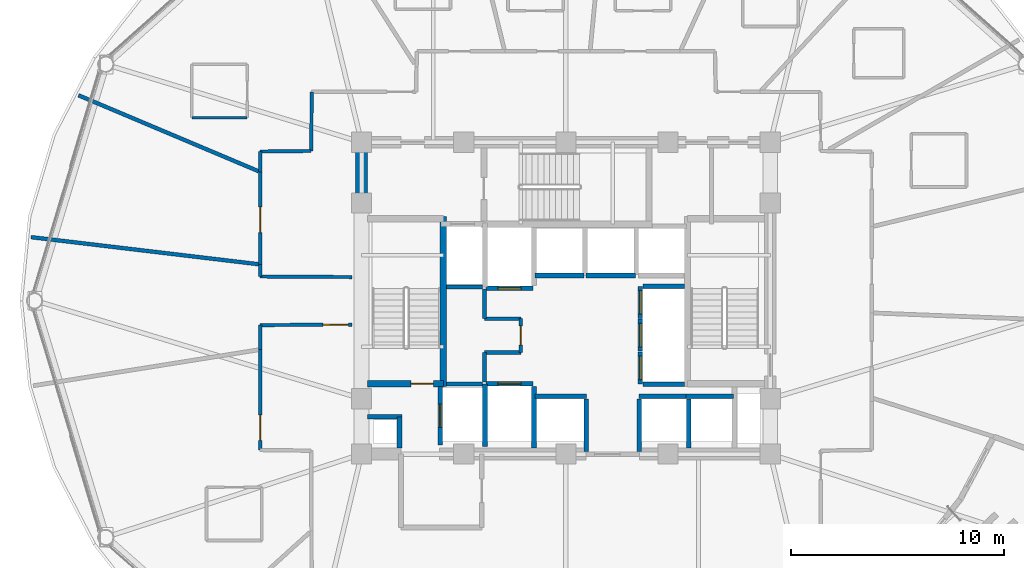
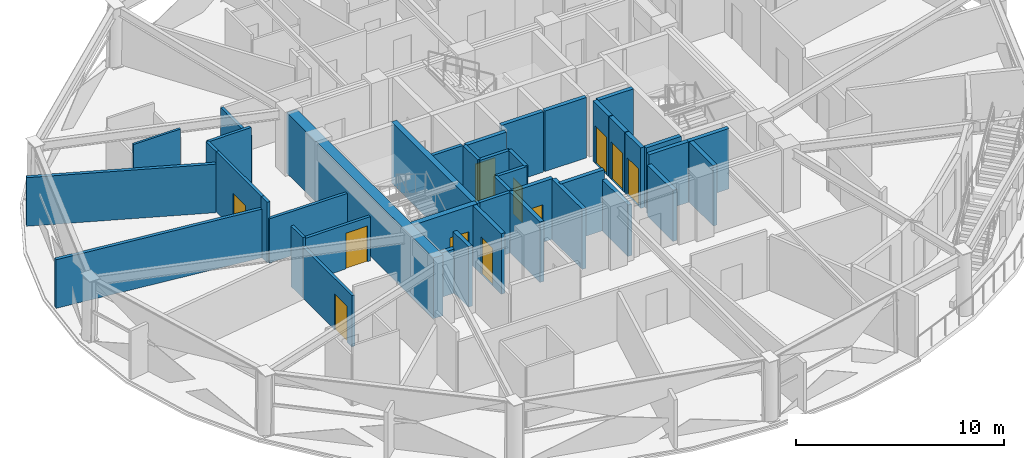
# One storey, part 11 of 18: 42 walls, 11 doors, 11 openings.
"""IFC4 building model written with IfcOpenShell, lengths in metres."""

from ifc_helpers import new_model, si_unit, direction, frame, frame_2d, origin, place, context, subcontext, project, spatial, rectangle, extrude, material, layer, layer_set, type_object, element, fill, save


model = new_model("IFC4")

# Units and contexts
model_context = context("Model", 3, precision=1e-05, world=origin(), true_north=direction((0.0, 1.0)))
body_context = subcontext(model_context, "Body", "Model", "MODEL_VIEW")
ifc_project = project(units=[si_unit("LENGTHUNIT", "METRE"), si_unit("AREAUNIT", "SQUARE_METRE"), si_unit("VOLUMEUNIT", "CUBIC_METRE"), si_unit("PLANEANGLEUNIT", "RADIAN"), si_unit("MASSUNIT", "GRAM", prefix="KILO")], contexts=[model_context])

# Site, building, storey
site_placement = place(None, origin())
site = spatial("IfcSite", under=ifc_project, at=site_placement, CompositionType="ELEMENT")
building_placement = place(site_placement, origin())
building = spatial("IfcBuilding", under=site, at=building_placement, Name="Vantalir Tower", CompositionType="ELEMENT")
storey_placement = place(building_placement, frame((0.0, 0.0, 138.449951171875)))
storey = spatial("IfcBuildingStorey", under=building, at=storey_placement, Name="L34", CompositionType="ELEMENT", Elevation=138.449951171875)

# Walls
ifc_material_1 = material(Name="Moisture-resistant en-suite partition", Category="gypsum")
ifc_layer_1 = layer(ifc_material_1, 0.125)
ifc_layer_set_1 = layer_set([ifc_layer_1], Name="Moisture-resistant en-suite partition")
wall_type_1 = type_object("IfcWallType", Name="WL-BATH-125", PredefinedType="PARTITIONING", material=ifc_layer_set_1)
wall_1_placement = place(storey_placement, frame((13.924072265625, 33.60595703125, 0.0), z_axis=(0.0, 0.0, 1.0), x_axis=(1.0, 0.0, 0.0)))
element("IfcWall", 1, at=wall_1_placement, inside=storey, type_object=wall_type_1, Name="L34 En-suite 07 South Wall", PredefinedType="PARTITIONING", context=body_context, shape_type="SweptSolid", body=[
    extrude(rectangle(XDim=2.599853515625, YDim=0.125, at=frame_2d((1.2998046875, 0.0))), origin(), (0.0, 0.0, 1.0), 3.550048828125),
])
ifc_material_2 = material(Name="Concrete C60/75", Category="concrete")
ifc_layer_2 = layer(ifc_material_2, 0.550048828125)
ifc_layer_set_2 = layer_set([ifc_layer_2], Name="Concrete C60/75")
wall_type_2 = type_object("IfcWallType", Name="WL-CORE-550", PredefinedType="SHEAR", material=ifc_layer_set_2)
wall_2_placement = place(storey_placement, frame((21.89990234375, 18.074951171875, 0.0), z_axis=(0.0, 0.0, 1.0), x_axis=(0.0, 1.0, 0.0)))
element("IfcWall", 2, at=wall_2_placement, inside=storey, type_object=wall_type_2, Name="L34 Core Shear Wall West", PredefinedType="SHEAR", context=body_context, shape_type="SweptSolid", body=[
    extrude(rectangle(XDim=14.10009765625, YDim=0.550048828125, at=frame_2d((7.050048828125, 0.0))), origin(), (0.0, 0.0, 1.0), 3.570068359375),
])
ifc_material_3 = material(Name="Fire-rated hotel corridor acoustic partition", Category="gypsum")
ifc_layer_3 = layer(ifc_material_3, 0.159912109375)
ifc_layer_set_3 = layer_set([ifc_layer_3], Name="Fire-rated hotel corridor acoustic partition")
wall_type_3 = type_object("IfcWallType", Name="WL-CORR-160", PredefinedType="PARTITIONING", material=ifc_layer_set_3)
wall_3_placement = place(storey_placement, frame((21.445068359375, 26.115966796875, 0.0), z_axis=(0.0, 0.0, 1.0), x_axis=(-0.999981624627, 0.006062211549, 0.0)))
element("IfcWall", 3, at=wall_3_placement, inside=storey, type_object=wall_type_3, Name="L34 Corridor Partition 01", PredefinedType="PARTITIONING", context=body_context, shape_type="SweptSolid", body=[
    extrude(rectangle(XDim=4.30908203125, YDim=0.159912109375, at=frame_2d((2.154541015625, 0.0))), origin(), (0.0, 0.0, 1.0), 2.594970703125),
])
wall_4_placement = place(storey_placement, frame((17.135986328125, 26.14208984375, 0.0), z_axis=(0.0, 0.0, 1.0), x_axis=(0.0, 1.0, 0.0)))
element("IfcWall", 4, at=wall_4_placement, inside=storey, type_object=wall_type_3, Name="L34 Corridor Partition 02", PredefinedType="PARTITIONING", context=body_context, shape_type="SweptSolid", body=[
    extrude(rectangle(XDim=0.56787109375, YDim=0.159912109375, at=frame_2d((0.283935546875, 0.0))), origin(), (0.0, 0.0, 1.0), 3.550048828125),
])

# Wall, opening, door
wall_5_placement = place(storey_placement, frame((17.135986328125, 26.7099609375, 0.0), z_axis=(0.0, 0.0, 1.0), x_axis=(0.000224706471, 0.999999974754, 0.0)))
wall_5 = element("IfcWall", 5, at=wall_5_placement, inside=storey, type_object=wall_type_3, Name="L34 Corridor Partition 03", PredefinedType="PARTITIONING", context=body_context, shape_type="SweptSolid", body=[
    extrude(rectangle(XDim=4.345947265625, YDim=0.159912109375, at=frame_2d((2.1728515625, 0.0))), origin(), (0.0, 0.0, 1.0), 3.550048828125),
])
opening_1_placement = place(wall_5_placement, frame((1.4990234375, 0.0, 0.0)))
opening_1 = element("IfcOpeningElement", 6, at=opening_1_placement, cuts=wall_5, Name="Opening D-STE", PredefinedType="OPENING", context=body_context, shape_type="SweptSolid", body=[
    extrude(rectangle(XDim=1.199951171875, YDim=2.10009765625, at=frame_2d((0.60009765625, 1.050048828125))), frame((0.0, 0.08984375, 0.0), z_axis=(0.0, -1.0, 0.0), x_axis=(1.0, 0.0, 0.0)), (0.0, 0.0, 1.0), 0.179931640625),
])
ifc_material_4 = material(Name="Solid-core teak veneer suite entrance door", Category="wood")
door_type_1 = type_object("IfcDoorType", Name="DR-SUITE-ENTRY-1200", OperationType="NOTDEFINED", PredefinedType="DOOR", material=ifc_material_4)
door_1_placement = place(opening_1_placement, origin())
door_1 = element("IfcDoor", 7, at=door_1_placement, inside=storey, type_object=door_type_1, Name="L34 Club Reading Lounge 08 Door", OperationType="SINGLE_SWING_LEFT", OverallHeight=2.10009765625, OverallWidth=1.199951171875, PredefinedType="DOOR", context=body_context, shape_type="SweptSolid", body=[
    extrude(rectangle(XDim=1.199951171875, YDim=2.10009765625, at=frame_2d((0.60009765625, 1.050048828125))), frame((0.0, 0.02490234375, 0.0), z_axis=(0.0, -1.0, 0.0), x_axis=(1.0, 0.0, 0.0)), (0.0, 0.0, 1.0), 0.050048828125),
])
fill(opening_1, door_1)

# Walls
wall_6_placement = place(storey_placement, frame((17.136962890625, 31.055908203125, 0.0), z_axis=(0.0, 0.0, 1.0), x_axis=(0.0, 1.0, 0.0)))
element("IfcWall", 8, at=wall_6_placement, inside=storey, type_object=wall_type_3, Name="L34 Corridor Partition 04", PredefinedType="PARTITIONING", context=body_context, shape_type="SweptSolid", body=[
    extrude(rectangle(XDim=0.9560546875, YDim=0.159912109375, at=frame_2d((0.47802734375, 0.0))), origin(), (0.0, 0.0, 1.0), 3.550048828125),
])
wall_7_placement = place(storey_placement, frame((17.136962890625, 32.011962890625, 0.0), z_axis=(0.0, 0.0, 1.0), x_axis=(0.999931463618, 0.01170760724, 0.0)))
element("IfcWall", 9, at=wall_7_placement, inside=storey, type_object=wall_type_3, Name="L34 Corridor Partition 05", PredefinedType="PARTITIONING", context=body_context, shape_type="SweptSolid", body=[
    extrude(rectangle(XDim=2.398193359375, YDim=0.159912109375, at=frame_2d((1.19921875, 0.0))), origin(), (0.0, 0.0, 1.0), 3.550048828125),
])
wall_8_placement = place(storey_placement, frame((19.534912109375, 32.0400390625, 0.0), z_axis=(0.0, 0.0, 1.0), x_axis=(0.009071319538, 0.999958854734, 0.0)))
element("IfcWall", 10, at=wall_8_placement, inside=storey, type_object=wall_type_3, Name="L34 Corridor Partition 06", PredefinedType="PARTITIONING", context=body_context, shape_type="SweptSolid", body=[
    extrude(rectangle(XDim=2.77197265625, YDim=0.159912109375, at=frame_2d((1.385986328125, 0.0))), origin(), (0.0, 0.0, 1.0), 3.006103515625),
])

# Wall, opening, door
wall_9_placement = place(storey_placement, frame((17.135986328125, 17.991943359375, 0.0), z_axis=(0.0, 0.0, 1.0), x_axis=(0.0, 1.0, 0.0)))
wall_9 = element("IfcWall", 11, at=wall_9_placement, inside=storey, type_object=wall_type_3, Name="L34 Corridor Partition 33", PredefinedType="PARTITIONING", context=body_context, shape_type="SweptSolid", body=[
    extrude(rectangle(XDim=4.718017578125, YDim=0.159912109375, at=frame_2d((2.35888671875, 0.0))), origin(), (0.0, 0.0, 1.0), 3.006103515625),
])
opening_2_placement = place(wall_9_placement, frame((0.450927734375, 0.0, 0.0)))
opening_2 = element("IfcOpeningElement", 12, at=opening_2_placement, cuts=wall_9, Name="Opening D-STE", PredefinedType="OPENING", context=body_context, shape_type="SweptSolid", body=[
    extrude(rectangle(XDim=1.199951171875, YDim=2.10009765625, at=frame_2d((0.60009765625, 1.050048828125))), frame((0.0, 0.08984375, 0.0), z_axis=(0.0, -1.0, 0.0), x_axis=(1.0, 0.0, 0.0)), (0.0, 0.0, 1.0), 0.179931640625),
])
door_2_placement = place(opening_2_placement, origin())
door_2 = element("IfcDoor", 13, at=door_2_placement, inside=storey, type_object=door_type_1, Name="L34 Executive Club Hotel Suite 10 Door", OperationType="SINGLE_SWING_LEFT", OverallHeight=2.10009765625, OverallWidth=1.199951171875, PredefinedType="DOOR", context=body_context, shape_type="SweptSolid", body=[
    extrude(rectangle(XDim=1.199951171875, YDim=2.10009765625, at=frame_2d((0.60009765625, 1.050048828125))), frame((0.0, 0.02490234375, 0.0), z_axis=(0.0, -1.0, 0.0), x_axis=(1.0, 0.0, 0.0)), (0.0, 0.0, 1.0), 0.050048828125),
])
fill(opening_2, door_2)

# Wall
wall_10_placement = place(storey_placement, frame((17.135986328125, 22.7099609375, 0.0), z_axis=(0.0, 0.0, 1.0), x_axis=(0.0, 1.0, 0.0)))
element("IfcWall", 14, at=wall_10_placement, inside=storey, type_object=wall_type_3, Name="L34 Corridor Partition 34", PredefinedType="PARTITIONING", context=body_context, shape_type="SweptSolid", body=[
    extrude(rectangle(XDim=1.14794921875, YDim=0.159912109375, at=frame_2d((0.573974609375, 0.0))), origin(), (0.0, 0.0, 1.0), 3.550048828125),
])

# Wall, opening, door
wall_11_placement = place(storey_placement, frame((17.135986328125, 23.85791015625, 0.0), z_axis=(0.0, 0.0, 1.0), x_axis=(0.999981624627, 0.006062211549, 0.0)))
wall_11 = element("IfcWall", 15, at=wall_11_placement, inside=storey, type_object=wall_type_3, Name="L34 Corridor Partition 35", PredefinedType="PARTITIONING", context=body_context, shape_type="SweptSolid", body=[
    extrude(rectangle(XDim=4.30908203125, YDim=0.159912109375, at=frame_2d((2.154541015625, 0.0))), origin(), (0.0, 0.0, 1.0), 2.594970703125),
])
opening_3_placement = place(wall_11_placement, frame((2.948974609375, 0.0, 0.0)))
opening_3 = element("IfcOpeningElement", 16, at=opening_3_placement, cuts=wall_11, Name="Opening D-STE", PredefinedType="OPENING", context=body_context, shape_type="SweptSolid", body=[
    extrude(rectangle(XDim=1.199951171875, YDim=2.10009765625, at=frame_2d((0.60009765625, 1.050048828125))), frame((0.0, 0.08984375, 0.0), z_axis=(0.0, -1.0, 0.0), x_axis=(1.0, 0.0, 0.0)), (0.0, 0.0, 1.0), 0.179931640625),
])
door_3_placement = place(opening_3_placement, origin())
door_3 = element("IfcDoor", 17, at=door_3_placement, inside=storey, type_object=door_type_1, Name="L34 Executive Sky Boardroom 09 Door", OperationType="SINGLE_SWING_RIGHT", OverallHeight=2.10009765625, OverallWidth=1.199951171875, PredefinedType="DOOR", context=body_context, shape_type="SweptSolid", body=[
    extrude(rectangle(XDim=1.199951171875, YDim=2.10009765625, at=frame_2d((0.60009765625, 1.050048828125))), frame((0.0, 0.02490234375, 0.0), z_axis=(0.0, -1.0, 0.0), x_axis=(1.0, 0.0, 0.0)), (0.0, 0.0, 1.0), 0.050048828125),
])
fill(opening_3, door_3)

# Walls
ifc_material_5 = material(Name="Concrete blockwork with fireboard lining", Category="masonry")
ifc_layer_4 = layer(ifc_material_5, 0.219970703125)
ifc_layer_set_4 = layer_set([ifc_layer_4], Name="Concrete blockwork with fireboard lining")
wall_type_4 = type_object("IfcWallType", Name="WL-FFL-220", PredefinedType="PARTITIONING", material=ifc_layer_set_4)
wall_12_placement = place(storey_placement, frame((30.0, 18.080078125, 0.0), z_axis=(0.0, 0.0, 1.0), x_axis=(0.0, 1.0, 0.0)))
element("IfcWall", 18, at=wall_12_placement, inside=storey, type_object=wall_type_4, Name="L34 Service Lift SV1 East Shaft Wall", PredefinedType="PARTITIONING", context=body_context, shape_type="SweptSolid", body=[
    extrude(rectangle(XDim=2.89990234375, YDim=0.219970703125, at=frame_2d((1.449951171875, 0.0))), origin(), (0.0, 0.0, 1.0), 3.545166015625),
])
for number, where, z_axis, x_axis, name in (
    (19, (32.449951171875, 17.919921875, 0.0), (0.0, 0.0, 1.0), (0.0, 1.0, 0.0), "L34 Shuttle Lift PL-X1 East Shaft Cheek"),
    (20, (34.949951171875, 17.919921875, 0.0), (0.0, 0.0, 1.0), (0.0, 1.0, 0.0), "L34 Shuttle Lift PL-X3 West Shaft Cheek"),
):
    element("IfcWall", number, at=place(storey_placement, frame(where, z_axis=z_axis, x_axis=x_axis)), inside=storey, type_object=wall_type_4, Name=name, PredefinedType="PARTITIONING", context=body_context, shape_type="SweptSolid", body=[
        extrude(rectangle(XDim=2.469970703125, YDim=0.219970703125, at=frame_2d((1.23486328125, 0.0))), origin(), (0.0, 0.0, 1.0), 3.006103515625),
    ])
wall_13_placement = place(storey_placement, frame((37.27490234375, 18.080078125, 0.0), z_axis=(0.0, 0.0, 1.0), x_axis=(0.0, 1.0, 0.0)))
element("IfcWall", 21, at=wall_13_placement, inside=storey, type_object=wall_type_4, Name="L34 Shuttle Lift PL-X2/X3 Shaft Divider", PredefinedType="PARTITIONING", context=body_context, shape_type="SweptSolid", body=[
    extrude(rectangle(XDim=2.309814453125, YDim=0.219970703125, at=frame_2d((1.15478515625, 0.0))), origin(), (0.0, 0.0, 1.0), 3.545166015625),
])
wall_14_placement = place(storey_placement, frame((23.679931640625, 18.074951171875, 0.0), z_axis=(0.0, 0.0, 1.0), x_axis=(0.0, 1.0, 0.0)))
element("IfcWall", 22, at=wall_14_placement, inside=storey, type_object=wall_type_4, Name="L34 West MEP Riser Wall E", PredefinedType="PARTITIONING", context=body_context, shape_type="SweptSolid", body=[
    extrude(rectangle(XDim=1.47509765625, YDim=0.219970703125, at=frame_2d((0.737548828125, 0.0))), origin(), (0.0, 0.0, 1.0), 3.550048828125),
])
wall_15_placement = place(storey_placement, frame((22.175048828125, 19.550048828125, 0.0), z_axis=(0.0, 0.0, 1.0), x_axis=(1.0, 0.0, 0.0)))
element("IfcWall", 23, at=wall_15_placement, inside=storey, type_object=wall_type_4, Name="L34 West MEP Riser Wall N", PredefinedType="PARTITIONING", context=body_context, shape_type="SweptSolid", body=[
    extrude(rectangle(XDim=1.614990234375, YDim=0.219970703125, at=frame_2d((0.8076171875, 0.0))), origin(), (0.0, 0.0, 1.0), 2.594970703125),
])

# Wall, opening, door
wall_16_placement = place(storey_placement, frame((25.590087890625, 18.219970703125, 0.0), z_axis=(0.0, 0.0, 1.0), x_axis=(0.0, 1.0, 0.0)))
wall_16 = element("IfcWall", 24, at=wall_16_placement, inside=storey, type_object=wall_type_4, Name="L34 Lift FL1 Shaft Front Wall", PredefinedType="PARTITIONING", context=body_context, shape_type="SweptSolid", body=[
    extrude(rectangle(XDim=2.760009765625, YDim=0.219970703125, at=frame_2d((1.3798828125, 0.0))), origin(), (0.0, 0.0, 1.0), 3.550048828125),
])
opening_4_placement = place(wall_16_placement, frame((0.830078125, 0.0, 0.0)))
opening_4 = element("IfcOpeningElement", 25, at=opening_4_placement, cuts=wall_16, Name="Opening LD-FL1", PredefinedType="OPENING", context=body_context, shape_type="SweptSolid", body=[
    extrude(rectangle(XDim=1.10009765625, YDim=2.199951171875, at=frame_2d((0.550048828125, 1.10009765625))), frame((0.0, 0.119873046875, 0.0), z_axis=(0.0, -1.0, 0.0), x_axis=(1.0, 0.0, 0.0)), (0.0, 0.0, 1.0), 0.239990234375),
])
ifc_material_6 = material(Name="Brushed stainless-steel sliding lift landing door", Category="steel")
door_type_2 = type_object("IfcDoorType", Name="DR-LIFT-LANDING-1100", OperationType="DOUBLE_DOOR_SLIDING", PredefinedType="DOOR", material=ifc_material_6)
door_4_placement = place(opening_4_placement, origin())
door_4 = element("IfcDoor", 26, at=door_4_placement, inside=storey, type_object=door_type_2, Name="L34 Lift Landing Door FL1", OperationType="DOUBLE_DOOR_SLIDING", OverallHeight=2.199951171875, OverallWidth=1.10009765625, PredefinedType="DOOR", context=body_context, shape_type="SweptSolid", body=[
    extrude(rectangle(XDim=1.10009765625, YDim=2.199951171875, at=frame_2d((0.550048828125, 1.10009765625))), frame((0.0, 0.02490234375, 0.0), z_axis=(0.0, -1.0, 0.0), x_axis=(1.0, 0.0, 0.0)), (0.0, 0.0, 1.0), 0.050048828125),
])
fill(opening_4, door_4)

wall_17_placement = place(storey_placement, frame((27.739990234375, 21.110107421875, 0.0), z_axis=(0.0, 0.0, 1.0), x_axis=(1.0, 0.0, 0.0)))
wall_17 = element("IfcWall", 27, at=wall_17_placement, inside=storey, type_object=wall_type_4, Name="L34 Lift SV1 Shaft Front Wall", PredefinedType="PARTITIONING", context=body_context, shape_type="SweptSolid", body=[
    extrude(rectangle(XDim=2.219970703125, YDim=0.219970703125, at=frame_2d((1.10986328125, 0.0))), origin(), (0.0, 0.0, 1.0), 3.550048828125),
])
opening_5_placement = place(wall_17_placement, frame((0.56005859375, 0.0, 0.0)))
opening_5 = element("IfcOpeningElement", 28, at=opening_5_placement, cuts=wall_17, Name="Opening LD-SV1", PredefinedType="OPENING", context=body_context, shape_type="SweptSolid", body=[
    extrude(rectangle(XDim=1.10009765625, YDim=2.199951171875, at=frame_2d((0.550048828125, 1.10009765625))), frame((0.0, 0.119873046875, 0.0), z_axis=(0.0, -1.0, 0.0), x_axis=(1.0, 0.0, 0.0)), (0.0, 0.0, 1.0), 0.239990234375),
])
door_5_placement = place(opening_5_placement, origin())
door_5 = element("IfcDoor", 29, at=door_5_placement, inside=storey, type_object=door_type_2, Name="L34 Lift Landing Door SV1", OperationType="DOUBLE_DOOR_SLIDING", OverallHeight=2.199951171875, OverallWidth=1.10009765625, PredefinedType="DOOR", context=body_context, shape_type="SweptSolid", body=[
    extrude(rectangle(XDim=1.10009765625, YDim=2.199951171875, at=frame_2d((0.550048828125, 1.10009765625))), frame((0.0, 0.02490234375, 0.0), z_axis=(0.0, -1.0, 0.0), x_axis=(1.0, 0.0, 0.0)), (0.0, 0.0, 1.0), 0.050048828125),
])
fill(opening_5, door_5)

wall_18_placement = place(storey_placement, frame((27.739990234375, 25.590087890625, 0.0), z_axis=(0.0, 0.0, 1.0), x_axis=(1.0, 0.0, 0.0)))
wall_18 = element("IfcWall", 30, at=wall_18_placement, inside=storey, type_object=wall_type_4, Name="L34 Lift SV2 Shaft Front Wall", PredefinedType="PARTITIONING", context=body_context, shape_type="SweptSolid", body=[
    extrude(rectangle(XDim=2.219970703125, YDim=0.219970703125, at=frame_2d((1.10986328125, 0.0))), origin(), (0.0, 0.0, 1.0), 3.550048828125),
])
opening_6_placement = place(wall_18_placement, frame((0.56005859375, 0.0, 0.0)))
opening_6 = element("IfcOpeningElement", 31, at=opening_6_placement, cuts=wall_18, Name="Opening LD-SV2", PredefinedType="OPENING", context=body_context, shape_type="SweptSolid", body=[
    extrude(rectangle(XDim=1.10009765625, YDim=2.199951171875, at=frame_2d((0.550048828125, 1.10009765625))), frame((0.0, 0.119873046875, 0.0), z_axis=(0.0, -1.0, 0.0), x_axis=(1.0, 0.0, 0.0)), (0.0, 0.0, 1.0), 0.239990234375),
])
door_6_placement = place(opening_6_placement, frame((1.10009765625, 0.0, 0.0), z_axis=(0.0, 0.0, 1.0), x_axis=(-1.0, 0.0, 0.0)))
door_6 = element("IfcDoor", 32, at=door_6_placement, inside=storey, type_object=door_type_2, Name="L34 Lift Landing Door SV2", OperationType="DOUBLE_DOOR_SLIDING", OverallHeight=2.199951171875, OverallWidth=1.10009765625, PredefinedType="DOOR", context=body_context, shape_type="SweptSolid", body=[
    extrude(rectangle(XDim=1.10009765625, YDim=2.199951171875, at=frame_2d((0.550048828125, 1.10009765625))), frame((0.0, 0.02490234375, 0.0), z_axis=(0.0, -1.0, 0.0), x_axis=(1.0, 0.0, 0.0)), (0.0, 0.0, 1.0), 0.050048828125),
])
fill(opening_6, door_6)

# Walls
wall_19_placement = place(storey_placement, frame((30.0400390625, 20.510009765625, 0.0), z_axis=(0.0, 0.0, 1.0), x_axis=(1.0, 0.0, 0.0)))
element("IfcWall", 33, at=wall_19_placement, inside=storey, type_object=wall_type_4, Name="L34 Lift PL-X1 Shaft Front Wall", PredefinedType="PARTITIONING", context=body_context, shape_type="SweptSolid", body=[
    extrude(rectangle(XDim=2.419921875, YDim=0.219970703125, at=frame_2d((1.2099609375, 0.0))), origin(), (0.0, 0.0, 1.0), 3.550048828125),
])
for number, where, z_axis, x_axis, name in (
    (34, (37.139892578125, 20.510009765625, 0.0), (0.0, 0.0, 1.0), (1.0, 0.0, 0.0), "L34 Lift PL-X2 Shaft Rear Wall"),
    (35, (34.93994140625, 20.510009765625, 0.0), (0.0, 0.0, 1.0), (1.0, 0.0, 0.0), "L34 Lift PL-X3 Shaft Front Wall"),
):
    element("IfcWall", number, at=place(storey_placement, frame(where, z_axis=z_axis, x_axis=x_axis)), inside=storey, type_object=wall_type_4, Name=name, PredefinedType="PARTITIONING", context=body_context, shape_type="SweptSolid", body=[
        extrude(rectangle(XDim=2.239990234375, YDim=0.219970703125, at=frame_2d((1.1201171875, 0.0))), origin(), (0.0, 0.0, 1.0), 3.550048828125),
    ])
for number, where, z_axis, x_axis, name in (
    (36, (30.0400390625, 26.18994140625, 0.0), (0.0, 0.0, 1.0), (1.0, 0.0, 0.0), "L34 Lift PL-H1 Shaft Front Wall"),
    (37, (32.43994140625, 26.18994140625, 0.0), (0.0, 0.0, 1.0), (1.0, 0.0, 0.0), "L34 Lift PL-H2 Shaft Front Wall"),
):
    element("IfcWall", number, at=place(storey_placement, frame(where, z_axis=z_axis, x_axis=x_axis)), inside=storey, type_object=wall_type_4, Name=name, PredefinedType="PARTITIONING", context=body_context, shape_type="SweptSolid", body=[
        extrude(rectangle(XDim=2.320068359375, YDim=0.219970703125, at=frame_2d((1.16015625, 0.0))), origin(), (0.0, 0.0, 1.0), 3.550048828125),
    ])

# Wall, opening, door
wall_20_placement = place(storey_placement, frame((34.989990234375, 21.10009765625, 0.0), z_axis=(0.0, 0.0, 1.0), x_axis=(0.0, 1.0, 0.0)))
wall_20 = element("IfcWall", 38, at=wall_20_placement, inside=storey, type_object=wall_type_4, Name="L34 Lift PL-M1 Shaft Front Wall", PredefinedType="PARTITIONING", context=body_context, shape_type="SweptSolid", body=[
    extrude(rectangle(XDim=1.5, YDim=0.219970703125, at=frame_2d((0.75, 0.0))), origin(), (0.0, 0.0, 1.0), 3.550048828125),
])
opening_7_placement = place(wall_20_placement, frame((0.199951171875, 0.0, 0.0)))
opening_7 = element("IfcOpeningElement", 39, at=opening_7_placement, cuts=wall_20, Name="Opening LD-PL-M1", PredefinedType="OPENING", context=body_context, shape_type="SweptSolid", body=[
    extrude(rectangle(XDim=1.10009765625, YDim=2.199951171875, at=frame_2d((0.550048828125, 1.10009765625))), frame((0.0, 0.119873046875, 0.0), z_axis=(0.0, -1.0, 0.0), x_axis=(1.0, 0.0, 0.0)), (0.0, 0.0, 1.0), 0.239990234375),
])
door_7_placement = place(opening_7_placement, origin())
door_7 = element("IfcDoor", 40, at=door_7_placement, inside=storey, type_object=door_type_2, Name="L34 Lift Landing Door PL-M1", OperationType="DOUBLE_DOOR_SLIDING", OverallHeight=2.199951171875, OverallWidth=1.10009765625, PredefinedType="DOOR", context=body_context, shape_type="SweptSolid", body=[
    extrude(rectangle(XDim=1.10009765625, YDim=2.199951171875, at=frame_2d((0.550048828125, 1.10009765625))), frame((0.0, 0.02490234375, 0.0), z_axis=(0.0, -1.0, 0.0), x_axis=(1.0, 0.0, 0.0)), (0.0, 0.0, 1.0), 0.050048828125),
])
fill(opening_7, door_7)

wall_21_placement = place(storey_placement, frame((34.989990234375, 22.639892578125, 0.0), z_axis=(0.0, 0.0, 1.0), x_axis=(0.0, 1.0, 0.0)))
wall_21 = element("IfcWall", 41, at=wall_21_placement, inside=storey, type_object=wall_type_4, Name="L34 Lift PL-M2 Shaft Front Wall", PredefinedType="PARTITIONING", context=body_context, shape_type="SweptSolid", body=[
    extrude(rectangle(XDim=1.5, YDim=0.219970703125, at=frame_2d((0.75, 0.0))), origin(), (0.0, 0.0, 1.0), 3.550048828125),
])
opening_8_placement = place(wall_21_placement, frame((0.199951171875, 0.0, 0.0)))
opening_8 = element("IfcOpeningElement", 42, at=opening_8_placement, cuts=wall_21, Name="Opening LD-PL-M2", PredefinedType="OPENING", context=body_context, shape_type="SweptSolid", body=[
    extrude(rectangle(XDim=1.10009765625, YDim=2.199951171875, at=frame_2d((0.550048828125, 1.10009765625))), frame((0.0, 0.119873046875, 0.0), z_axis=(0.0, -1.0, 0.0), x_axis=(1.0, 0.0, 0.0)), (0.0, 0.0, 1.0), 0.239990234375),
])
door_8_placement = place(opening_8_placement, origin())
door_8 = element("IfcDoor", 43, at=door_8_placement, inside=storey, type_object=door_type_2, Name="L34 Lift Landing Door PL-M2", OperationType="DOUBLE_DOOR_SLIDING", OverallHeight=2.199951171875, OverallWidth=1.10009765625, PredefinedType="DOOR", context=body_context, shape_type="SweptSolid", body=[
    extrude(rectangle(XDim=1.10009765625, YDim=2.199951171875, at=frame_2d((0.550048828125, 1.10009765625))), frame((0.0, 0.02490234375, 0.0), z_axis=(0.0, -1.0, 0.0), x_axis=(1.0, 0.0, 0.0)), (0.0, 0.0, 1.0), 0.050048828125),
])
fill(opening_8, door_8)

wall_22_placement = place(storey_placement, frame((34.989990234375, 24.179931640625, 0.0), z_axis=(0.0, 0.0, 1.0), x_axis=(0.0, 1.0, 0.0)))
wall_22 = element("IfcWall", 44, at=wall_22_placement, inside=storey, type_object=wall_type_4, Name="L34 Lift PL-M3 Shaft Front Wall", PredefinedType="PARTITIONING", context=body_context, shape_type="SweptSolid", body=[
    extrude(rectangle(XDim=1.5, YDim=0.219970703125, at=frame_2d((0.75, 0.0))), origin(), (0.0, 0.0, 1.0), 3.550048828125),
])
opening_9_placement = place(wall_22_placement, frame((0.199951171875, 0.0, 0.0)))
opening_9 = element("IfcOpeningElement", 45, at=opening_9_placement, cuts=wall_22, Name="Opening LD-PL-M3", PredefinedType="OPENING", context=body_context, shape_type="SweptSolid", body=[
    extrude(rectangle(XDim=1.10009765625, YDim=2.199951171875, at=frame_2d((0.550048828125, 1.10009765625))), frame((0.0, 0.119873046875, 0.0), z_axis=(0.0, -1.0, 0.0), x_axis=(1.0, 0.0, 0.0)), (0.0, 0.0, 1.0), 0.239990234375),
])
door_9_placement = place(opening_9_placement, origin())
door_9 = element("IfcDoor", 46, at=door_9_placement, inside=storey, type_object=door_type_2, Name="L34 Lift Landing Door PL-M3", OperationType="DOUBLE_DOOR_SLIDING", OverallHeight=2.199951171875, OverallWidth=1.10009765625, PredefinedType="DOOR", context=body_context, shape_type="SweptSolid", body=[
    extrude(rectangle(XDim=1.10009765625, YDim=2.199951171875, at=frame_2d((0.550048828125, 1.10009765625))), frame((0.0, 0.02490234375, 0.0), z_axis=(0.0, -1.0, 0.0), x_axis=(1.0, 0.0, 0.0)), (0.0, 0.0, 1.0), 0.050048828125),
])
fill(opening_9, door_9)

# Walls
wall_23_placement = place(storey_placement, frame((27.699951171875, 18.14990234375, 0.0), z_axis=(0.0, 0.0, 1.0), x_axis=(0.0, 1.0, 0.0)))
element("IfcWall", 47, at=wall_23_placement, inside=storey, type_object=wall_type_4, Name="L34 Fire Lift FL1 Dividing Wall", PredefinedType="PARTITIONING", context=body_context, shape_type="SweptSolid", body=[
    extrude(rectangle(XDim=2.9501953125, YDim=0.219970703125, at=frame_2d((1.47509765625, 0.0))), origin(), (0.0, 0.0, 1.0), 3.550048828125),
])
for number, where, z_axis, x_axis, name in (
    (48, (35.1201171875, 21.080078125, 0.0), (0.0, 0.0, 1.0), (1.0, 0.0, 0.0), "L34 Mid-Rise Bank South Wall"),
    (49, (35.1201171875, 25.679931640625, 0.0), (0.0, 0.0, 1.0), (1.0, 0.0, 0.0), "L34 Mid-Rise Bank North Wall"),
):
    element("IfcWall", number, at=place(storey_placement, frame(where, z_axis=z_axis, x_axis=x_axis)), inside=storey, type_object=wall_type_4, Name=name, PredefinedType="PARTITIONING", context=body_context, shape_type="SweptSolid", body=[
        extrude(rectangle(XDim=1.93994140625, YDim=0.219970703125, at=frame_2d((0.969970703125, 0.0))), origin(), (0.0, 0.0, 1.0), 3.550048828125),
    ])
ifc_material_7 = material(Name="Twin-stud acoustic fire-rated gypsum partition", Category="gypsum")
ifc_layer_5 = layer(ifc_material_7, 0.179931640625)
ifc_layer_set_5 = layer_set([ifc_layer_5], Name="Twin-stud acoustic fire-rated gypsum partition")
wall_type_5 = type_object("IfcWallType", Name="WL-GUEST-180", PredefinedType="PARTITIONING", material=ifc_layer_set_5)
for number, where, z_axis, x_axis, name in (
    (50, (25.889892578125, 21.10009765625, 0.0), (0.0, 0.0, 1.0), (1.0, 0.0, 0.0), "L34 Freed West Core South Wall"),
    (51, (25.889892578125, 25.64990234375, 0.0), (0.0, 0.0, 1.0), (1.0, 0.0, 0.0), "L34 Freed West Core North Wall"),
):
    element("IfcWall", number, at=place(storey_placement, frame(where, z_axis=z_axis, x_axis=x_axis)), inside=storey, type_object=wall_type_5, Name=name, PredefinedType="PARTITIONING", context=body_context, shape_type="SweptSolid", body=[
        extrude(rectangle(XDim=1.7001953125, YDim=0.179931640625, at=frame_2d((0.85009765625, 0.0))), origin(), (0.0, 0.0, 1.0), 3.550048828125),
    ])
wall_24_placement = place(storey_placement, frame((27.679931640625, 21.18994140625, 0.0), z_axis=(0.0, 0.0, 1.0), x_axis=(0.0, 1.0, 0.0)))
element("IfcWall", 52, at=wall_24_placement, inside=storey, type_object=wall_type_5, Name="L34 West IT Room Lower East Wall", PredefinedType="PARTITIONING", context=body_context, shape_type="SweptSolid", body=[
    extrude(rectangle(XDim=1.39013671875, YDim=0.179931640625, at=frame_2d((0.695068359375, 0.0))), origin(), (0.0, 0.0, 1.0), 3.550048828125),
])
wall_25_placement = place(storey_placement, frame((27.679931640625, 22.580078125, 0.0), z_axis=(0.0, 0.0, 1.0), x_axis=(1.0, 0.0, 0.0)))
element("IfcWall", 53, at=wall_25_placement, inside=storey, type_object=wall_type_5, Name="L34 West IT Room Alcove South Wall", PredefinedType="PARTITIONING", context=body_context, shape_type="SweptSolid", body=[
    extrude(rectangle(XDim=1.699951171875, YDim=0.179931640625, at=frame_2d((0.85009765625, 0.0))), origin(), (0.0, 0.0, 1.0), 3.550048828125),
])

# Wall, opening, door
wall_26_placement = place(storey_placement, frame((29.3798828125, 22.580078125, 0.0), z_axis=(0.0, 0.0, 1.0), x_axis=(0.0, 1.0, 0.0)))
wall_26 = element("IfcWall", 54, at=wall_26_placement, inside=storey, type_object=wall_type_5, Name="L34 West IT Room Alcove East Wall", PredefinedType="PARTITIONING", context=body_context, shape_type="SweptSolid", body=[
    extrude(rectangle(XDim=1.579833984375, YDim=0.179931640625, at=frame_2d((0.7900390625, 0.0))), origin(), (0.0, 0.0, 1.0), 3.550048828125),
])
opening_10_placement = place(wall_26_placement, frame((0.340087890625, 0.0, 0.0)))
opening_10 = element("IfcOpeningElement", 55, at=opening_10_placement, cuts=wall_26, Name="Opening D-CR", PredefinedType="OPENING", context=body_context, shape_type="SweptSolid", body=[
    extrude(rectangle(XDim=0.89990234375, YDim=2.10009765625, at=frame_2d((0.449951171875, 1.050048828125))), frame((0.0, 0.099853515625, 0.0), z_axis=(0.0, -1.0, 0.0), x_axis=(1.0, 0.0, 0.0)), (0.0, 0.0, 1.0), 0.199951171875),
])
ifc_material_8 = material(Name="Fire-rated steel core service door", Category="steel")
door_type_3 = type_object("IfcDoorType", Name="DR-CORE-SERV-900", OperationType="NOTDEFINED", PredefinedType="DOOR", material=ifc_material_8)
door_10_placement = place(opening_10_placement, origin())
door_10 = element("IfcDoor", 56, at=door_10_placement, inside=storey, type_object=door_type_3, Name="L34 Core IT Comms Door", OperationType="SINGLE_SWING_RIGHT", OverallHeight=2.10009765625, OverallWidth=0.89990234375, PredefinedType="DOOR", context=body_context, shape_type="SweptSolid", body=[
    extrude(rectangle(XDim=0.89990234375, YDim=2.10009765625, at=frame_2d((0.449951171875, 1.050048828125))), frame((0.0, 0.02490234375, 0.0), z_axis=(0.0, -1.0, 0.0), x_axis=(1.0, 0.0, 0.0)), (0.0, 0.0, 1.0), 0.050048828125),
])
fill(opening_10, door_10)

# Walls
wall_27_placement = place(storey_placement, frame((27.679931640625, 24.159912109375, 0.0), z_axis=(0.0, 0.0, 1.0), x_axis=(1.0, 0.0, 0.0)))
element("IfcWall", 57, at=wall_27_placement, inside=storey, type_object=wall_type_5, Name="L34 West IT Room Alcove North Wall", PredefinedType="PARTITIONING", context=body_context, shape_type="SweptSolid", body=[
    extrude(rectangle(XDim=1.699951171875, YDim=0.179931640625, at=frame_2d((0.85009765625, 0.0))), origin(), (0.0, 0.0, 1.0), 3.550048828125),
])
wall_28_placement = place(storey_placement, frame((27.679931640625, 24.159912109375, 0.0), z_axis=(0.0, 0.0, 1.0), x_axis=(0.0, 1.0, 0.0)))
element("IfcWall", 58, at=wall_28_placement, inside=storey, type_object=wall_type_5, Name="L34 West IT Room Upper East Wall", PredefinedType="PARTITIONING", context=body_context, shape_type="SweptSolid", body=[
    extrude(rectangle(XDim=1.400146484375, YDim=0.179931640625, at=frame_2d((0.7001953125, 0.0))), origin(), (0.0, 0.0, 1.0), 3.550048828125),
])
wall_29_placement = place(storey_placement, frame((17.06005859375, 31.087890625, 0.0), z_axis=(0.0, 0.0, 1.0), x_axis=(-0.921450483527, 0.388495825469, 0.0)))
element("IfcWall", 59, at=wall_29_placement, inside=storey, type_object=wall_type_5, Name="L34 Radial Suite Partition 08", PredefinedType="PARTITIONING", context=body_context, shape_type="SweptSolid", body=[
    extrude(rectangle(XDim=9.177001953125, YDim=0.179931640625, at=frame_2d((4.58837890625, 0.0))), origin(), (0.0, 0.0, 1.0), 2.85205078125),
])
wall_30_placement = place(storey_placement, frame((17.06005859375, 26.718994140625, 0.0), z_axis=(0.0, 0.0, 1.0), x_axis=(-0.992988908294, 0.118207563227, 0.0)))
element("IfcWall", 60, at=wall_30_placement, inside=storey, type_object=wall_type_5, Name="L34 Radial Suite Partition 09", PredefinedType="PARTITIONING", context=body_context, shape_type="SweptSolid", body=[
    extrude(rectangle(XDim=10.760498046875, YDim=0.179931640625, at=frame_2d((5.38037109375, 0.0))), origin(), (0.0, 0.0, 1.0), 2.85205078125),
])

# Wall, opening, door
ifc_material_9 = material(Name="Concrete C50/60", Category="concrete")
ifc_layer_6 = layer(ifc_material_9, 0.300048828125)
ifc_layer_set_6 = layer_set([ifc_layer_6], Name="Concrete C50/60")
wall_type_6 = type_object("IfcWallType", Name="WL-STAIR-300", PredefinedType="SHEAR", material=ifc_layer_set_6)
wall_31_placement = place(storey_placement, frame((22.175048828125, 21.10009765625, 0.0), z_axis=(0.0, 0.0, 1.0), x_axis=(1.0, 0.0, 0.0)))
wall_31 = element("IfcWall", 61, at=wall_31_placement, inside=storey, type_object=wall_type_6, Name="L34 Stair ST1 South Wall", PredefinedType="SHEAR", context=body_context, shape_type="SweptSolid", body=[
    extrude(rectangle(XDim=3.56494140625, YDim=0.300048828125, at=frame_2d((1.782470703125, 0.0))), origin(), (0.0, 0.0, 1.0), 3.570068359375),
])
opening_11_placement = place(wall_31_placement, frame((2.044921875, 0.0, 0.0)))
opening_11 = element("IfcOpeningElement", 62, at=opening_11_placement, cuts=wall_31, Name="Opening D-ST", PredefinedType="OPENING", context=body_context, shape_type="SweptSolid", body=[
    extrude(rectangle(XDim=1.050048828125, YDim=2.10009765625, at=frame_2d((0.52490234375, 1.050048828125))), frame((0.0, 0.159912109375, 0.0), z_axis=(0.0, -1.0, 0.0), x_axis=(1.0, 0.0, 0.0)), (0.0, 0.0, 1.0), 0.320068359375),
])
ifc_material_10 = material(Name="Fire-rated steel door leaf", Category="steel")
door_type_4 = type_object("IfcDoorType", Name="DR-FIRE-STAIR-1050", OperationType="NOTDEFINED", PredefinedType="DOOR", material=ifc_material_10)
door_11_placement = place(opening_11_placement, origin())
door_11 = element("IfcDoor", 63, at=door_11_placement, inside=storey, type_object=door_type_4, Name="L34 Exit Stair ST1 Fire Door", OperationType="SINGLE_SWING_LEFT", OverallHeight=2.10009765625, OverallWidth=1.050048828125, PredefinedType="DOOR", context=body_context, shape_type="SweptSolid", body=[
    extrude(rectangle(XDim=1.050048828125, YDim=2.10009765625, at=frame_2d((0.52490234375, 1.050048828125))), frame((0.0, 0.02490234375, 0.0), z_axis=(0.0, -1.0, 0.0), x_axis=(1.0, 0.0, 0.0)), (0.0, 0.0, 1.0), 0.050048828125),
])
fill(opening_11, door_11)

# Wall
wall_32_placement = place(storey_placement, frame((25.739990234375, 20.97998046875, 0.0), z_axis=(0.0, 0.0, 1.0), x_axis=(0.0, 1.0, 0.0)))
element("IfcWall", 64, at=wall_32_placement, inside=storey, type_object=wall_type_6, Name="L34 Stair ST1 East Wall", PredefinedType="SHEAR", context=body_context, shape_type="SweptSolid", body=[
    extrude(rectangle(XDim=7.989990234375, YDim=0.300048828125, at=frame_2d((3.9951171875, 0.0))), origin(), (0.0, 0.0, 1.0), 3.570068359375),
])

save(model, "model.ifc")
